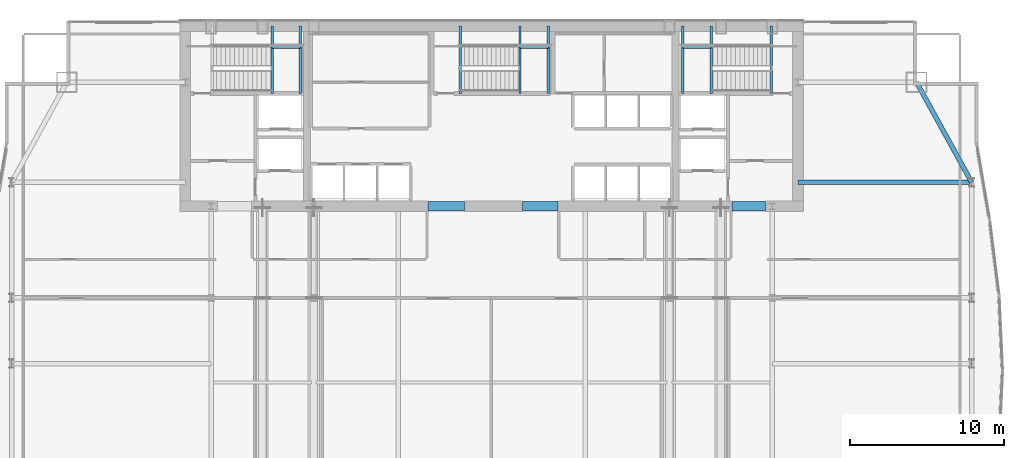
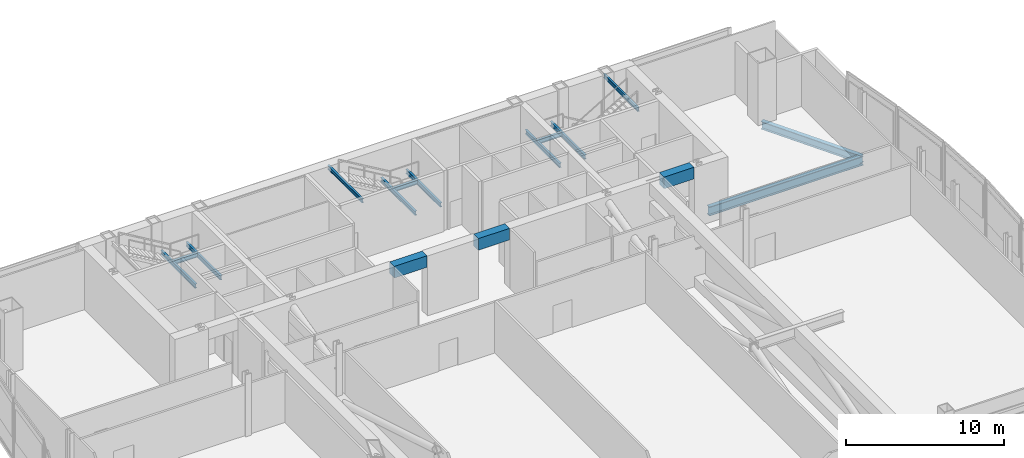
# One storey, part 19 of 30: 16 beams.
"""IFC4 building model written with IfcOpenShell, lengths in metres."""

from ifc_helpers import new_model, si_unit, direction, frame, origin, origin_2d, place, context, subcontext, project, spatial, rectangle, i_section, extrude, material, material_profile, profile_set, type_object, element, save


model = new_model("IFC4")

# Units and contexts
model_context = context("Model", 3, precision=1e-05, world=origin(), true_north=direction((0.0, 1.0)))
body_context = subcontext(model_context, "Body", "Model", "MODEL_VIEW")
ifc_project = project(units=[si_unit("LENGTHUNIT", "METRE"), si_unit("AREAUNIT", "SQUARE_METRE"), si_unit("VOLUMEUNIT", "CUBIC_METRE"), si_unit("PLANEANGLEUNIT", "RADIAN"), si_unit("MASSUNIT", "GRAM", prefix="KILO")], contexts=[model_context])

# Site, building, storey
site_placement = place(None, origin())
site = spatial("IfcSite", under=ifc_project, at=site_placement, CompositionType="ELEMENT")
building_placement = place(site_placement, origin())
building = spatial("IfcBuilding", under=site, at=building_placement, Name="Khoronbel Lancet Exchange", CompositionType="ELEMENT")
storey_placement = place(building_placement, frame((0.0, 0.0, 172.199951171875)))
storey = spatial("IfcBuildingStorey", under=building, at=storey_placement, Name="L43", CompositionType="ELEMENT", Elevation=172.199951171875)

# Beams
ifc_material_1 = material(Name="Steel S355", Category="steel")
ifc_material_profile_1 = material_profile(ifc_material_1, i_section(OverallWidth=0.300048828125, OverallDepth=0.699951171875, WebThickness=0.01708984375, FlangeThickness=0.031982421875, at=origin_2d()), Name="HEB 700")
ifc_profile_set_1 = profile_set([ifc_material_profile_1], Name="Steel S355")
beam_type_1 = type_object("IfcBeamType", Name="BM-BG3", PredefinedType="BEAM", material=ifc_profile_set_1)
beam_1_placement = place(storey_placement, frame((56.35009765625, 43.199951171875, -0.570068359375), z_axis=(1.0, 0.0, 0.0), x_axis=(0.0, 1.0, 0.0)))
element("IfcBeam", 1, at=beam_1_placement, inside=storey, type_object=beam_type_1, Name="Level L43 east lens tie girder LG3E", PredefinedType="BEAM", context=body_context, shape_type="SweptSolid", body=[
    extrude(i_section(OverallWidth=0.300048828125, OverallDepth=0.699951171875, WebThickness=0.01708984375, FlangeThickness=0.031982421875, at=origin_2d()), origin(), (0.0, 0.0, 1.0), 11.27978515625),
])
ifc_material_profile_2 = material_profile(ifc_material_1, i_section(OverallWidth=0.159912109375, OverallDepth=0.330078125, WebThickness=0.007568359375, FlangeThickness=0.011474609375, at=origin_2d()), Name="IPE 330")
ifc_profile_set_2 = profile_set([ifc_material_profile_2], Name="Steel S355")
beam_type_2 = type_object("IfcBeamType", Name="BM-BJ7", PredefinedType="JOIST", material=ifc_profile_set_2)
for number, where, z_axis, x_axis, name in (
    (2, (22.18994140625, 48.97998046875, 2.03515625), (0.0, 1.0, 0.0), (-1.0, 0.0, 0.0), "Level L43 stair ST1 landing bearer beam 1"),
    (3, (24.030029296875, 48.97998046875, 2.03515625), (0.0, 1.0, 0.0), (-1.0, 0.0, 0.0), "Level L43 stair ST1 rear landing bearer beam 1"),
):
    element("IfcBeam", number, at=place(storey_placement, frame(where, z_axis=z_axis, x_axis=x_axis)), inside=storey, type_object=beam_type_2, Name=name, PredefinedType="JOIST", context=body_context, shape_type="SweptSolid", body=[
        extrude(i_section(OverallWidth=0.159912109375, OverallDepth=0.330078125, WebThickness=0.007568359375, FlangeThickness=0.011474609375, at=origin_2d()), origin(), (0.0, 0.0, 1.0), 4.3701171875),
    ])
beam_2_placement = place(storey_placement, frame((22.18994140625, 51.97998046875, 2.03515625), z_axis=(1.0, 0.0, 0.0), x_axis=(0.0, 1.0, 0.0)))
element("IfcBeam", 4, at=beam_2_placement, inside=storey, type_object=beam_type_2, Name="Level L43 stair ST1 landing cross trimmer beam 1", PredefinedType="JOIST", context=body_context, shape_type="SweptSolid", body=[
    extrude(i_section(OverallWidth=0.159912109375, OverallDepth=0.330078125, WebThickness=0.007568359375, FlangeThickness=0.011474609375, at=origin_2d()), origin(), (0.0, 0.0, 1.0), 1.840087890625),
])
for number, where, z_axis, x_axis, name in (
    (5, (50.7099609375, 48.97998046875, 2.03515625), (0.0, 1.0, 0.0), (-1.0, 0.0, 0.0), "Level L43 stair ST2 landing bearer beam 1"),
    (6, (48.8701171875, 48.97998046875, 2.03515625), (0.0, 1.0, 0.0), (-1.0, 0.0, 0.0), "Level L43 stair ST2 rear landing bearer beam 1"),
):
    element("IfcBeam", number, at=place(storey_placement, frame(where, z_axis=z_axis, x_axis=x_axis)), inside=storey, type_object=beam_type_2, Name=name, PredefinedType="JOIST", context=body_context, shape_type="SweptSolid", body=[
        extrude(i_section(OverallWidth=0.159912109375, OverallDepth=0.330078125, WebThickness=0.007568359375, FlangeThickness=0.011474609375, at=origin_2d()), origin(), (0.0, 0.0, 1.0), 4.3701171875),
    ])
beam_3_placement = place(storey_placement, frame((48.8701171875, 51.97998046875, 2.03515625), z_axis=(1.0, 0.0, 0.0), x_axis=(0.0, 1.0, 0.0)))
element("IfcBeam", 7, at=beam_3_placement, inside=storey, type_object=beam_type_2, Name="Level L43 stair ST2 landing cross trimmer beam 1", PredefinedType="JOIST", context=body_context, shape_type="SweptSolid", body=[
    extrude(i_section(OverallWidth=0.159912109375, OverallDepth=0.330078125, WebThickness=0.007568359375, FlangeThickness=0.011474609375, at=origin_2d()), origin(), (0.0, 0.0, 1.0), 1.83984375),
])
for number, where, z_axis, x_axis, name in (
    (8, (38.2900390625, 48.97998046875, 2.03515625), (0.0, 1.0, 0.0), (-1.0, 0.0, 0.0), "Level L43 stair ST3 landing bearer beam 1"),
    (9, (40.1298828125, 48.97998046875, 2.03515625), (0.0, 1.0, 0.0), (-1.0, 0.0, 0.0), "Level L43 stair ST3 rear landing bearer beam 1"),
):
    element("IfcBeam", number, at=place(storey_placement, frame(where, z_axis=z_axis, x_axis=x_axis)), inside=storey, type_object=beam_type_2, Name=name, PredefinedType="JOIST", context=body_context, shape_type="SweptSolid", body=[
        extrude(i_section(OverallWidth=0.159912109375, OverallDepth=0.330078125, WebThickness=0.007568359375, FlangeThickness=0.011474609375, at=origin_2d()), origin(), (0.0, 0.0, 1.0), 4.3701171875),
    ])
beam_4_placement = place(storey_placement, frame((38.2900390625, 51.97998046875, 2.03515625), z_axis=(1.0, 0.0, 0.0), x_axis=(0.0, 1.0, 0.0)))
element("IfcBeam", 10, at=beam_4_placement, inside=storey, type_object=beam_type_2, Name="Level L43 stair ST3 landing cross trimmer beam 1", PredefinedType="JOIST", context=body_context, shape_type="SweptSolid", body=[
    extrude(i_section(OverallWidth=0.159912109375, OverallDepth=0.330078125, WebThickness=0.007568359375, FlangeThickness=0.011474609375, at=origin_2d()), origin(), (0.0, 0.0, 1.0), 1.83984375),
])
ifc_material_profile_3 = material_profile(ifc_material_1, i_section(OverallWidth=0.14990234375, OverallDepth=0.300048828125, WebThickness=0.007080078125, FlangeThickness=0.0107421875, at=origin_2d()), Name="IPE 300")
ifc_profile_set_3 = profile_set([ifc_material_profile_3], Name="Steel S355")
beam_type_3 = type_object("IfcBeamType", Name="BM-BJ8", PredefinedType="JOIST", material=ifc_profile_set_3)
for number, where, z_axis, x_axis, name in (
    (11, (54.60009765625, 48.97998046875, 4.360107421875), (0.0, 1.0, 0.0), (-1.0, 0.0, 0.0), "Level L43 stair ST2 upper-flight arrival trimmer beam"),
    (12, (34.39990234375, 48.97998046875, 4.360107421875), (0.0, 1.0, 0.0), (-1.0, 0.0, 0.0), "Level L43 stair ST3 upper-flight arrival trimmer beam"),
):
    element("IfcBeam", number, at=place(storey_placement, frame(where, z_axis=z_axis, x_axis=x_axis)), inside=storey, type_object=beam_type_3, Name=name, PredefinedType="JOIST", context=body_context, shape_type="SweptSolid", body=[
        extrude(i_section(OverallWidth=0.14990234375, OverallDepth=0.300048828125, WebThickness=0.007080078125, FlangeThickness=0.0107421875, at=origin_2d()), origin(), (0.0, 0.0, 1.0), 4.3701171875),
    ])
ifc_material_2 = material(Name="Concrete C80/95", Category="concrete")
ifc_material_profile_4 = material_profile(ifc_material_2, rectangle(XDim=0.60009765625, YDim=0.89990234375, at=origin_2d()), Name="RC 600x900")
ifc_profile_set_4 = profile_set([ifc_material_profile_4], Name="Concrete C80/95")
beam_type_4 = type_object("IfcBeamType", Name="BM-BL1", PredefinedType="LINTEL", material=ifc_profile_set_4)
beam_5_placement = place(storey_placement, frame((32.300048828125, 41.64990234375, 4.18994140625), z_axis=(1.0, 0.0, 0.0), x_axis=(0.0, 1.0, 0.0)))
element("IfcBeam", 13, at=beam_5_placement, inside=storey, type_object=beam_type_4, Name="Level L43 rear core coupling lintel L2", PredefinedType="LINTEL", context=body_context, shape_type="SweptSolid", body=[
    extrude(rectangle(XDim=0.60009765625, YDim=0.89990234375, at=origin_2d()), origin(), (0.0, 0.0, 1.0), 2.39990234375),
])
beam_6_placement = place(storey_placement, frame((38.449951171875, 41.64990234375, 4.18994140625), z_axis=(1.0, 0.0, 0.0), x_axis=(0.0, 1.0, 0.0)))
element("IfcBeam", 14, at=beam_6_placement, inside=storey, type_object=beam_type_4, Name="Level L43 rear core coupling lintel L3", PredefinedType="LINTEL", context=body_context, shape_type="SweptSolid", body=[
    extrude(rectangle(XDim=0.60009765625, YDim=0.89990234375, at=origin_2d()), origin(), (0.0, 0.0, 1.0), 2.300048828125),
])
beam_7_placement = place(storey_placement, frame((52.050048828125, 41.64990234375, 4.18994140625), z_axis=(1.0, 0.0, 0.0), x_axis=(0.0, 1.0, 0.0)))
element("IfcBeam", 15, at=beam_7_placement, inside=storey, type_object=beam_type_4, Name="Level L43 rear core coupling lintel L4", PredefinedType="LINTEL", context=body_context, shape_type="SweptSolid", body=[
    extrude(rectangle(XDim=0.60009765625, YDim=0.89990234375, at=origin_2d()), origin(), (0.0, 0.0, 1.0), 2.199951171875),
])
ifc_material_profile_5 = material_profile(ifc_material_1, i_section(OverallWidth=0.300048828125, OverallDepth=0.60009765625, WebThickness=0.015380859375, FlangeThickness=0.030029296875, at=origin_2d()), Name="HEB 600")
ifc_profile_set_5 = profile_set([ifc_material_profile_5], Name="Steel S355")
beam_type_5 = type_object("IfcBeamType", Name="BM-BSP2", PredefinedType="SPANDREL", material=ifc_profile_set_5)
beam_8_placement = place(storey_placement, frame((67.6298828125, 43.199951171875, -0.52001953125), z_axis=(-0.482418808117, 0.875940690672, 0.0), x_axis=(-0.875940690672, -0.482418808117, 0.0)))
element("IfcBeam", 16, at=beam_8_placement, inside=storey, type_object=beam_type_5, Name="Level L43 perimeter spandrel beam SP15", PredefinedType="SPANDREL", context=body_context, shape_type="SweptSolid", body=[
    extrude(i_section(OverallWidth=0.300048828125, OverallDepth=0.60009765625, WebThickness=0.015380859375, FlangeThickness=0.030029296875, at=origin_2d()), origin(), (0.0, 0.0, 1.0), 7.420654296875),
])

save(model, "model.ifc")
